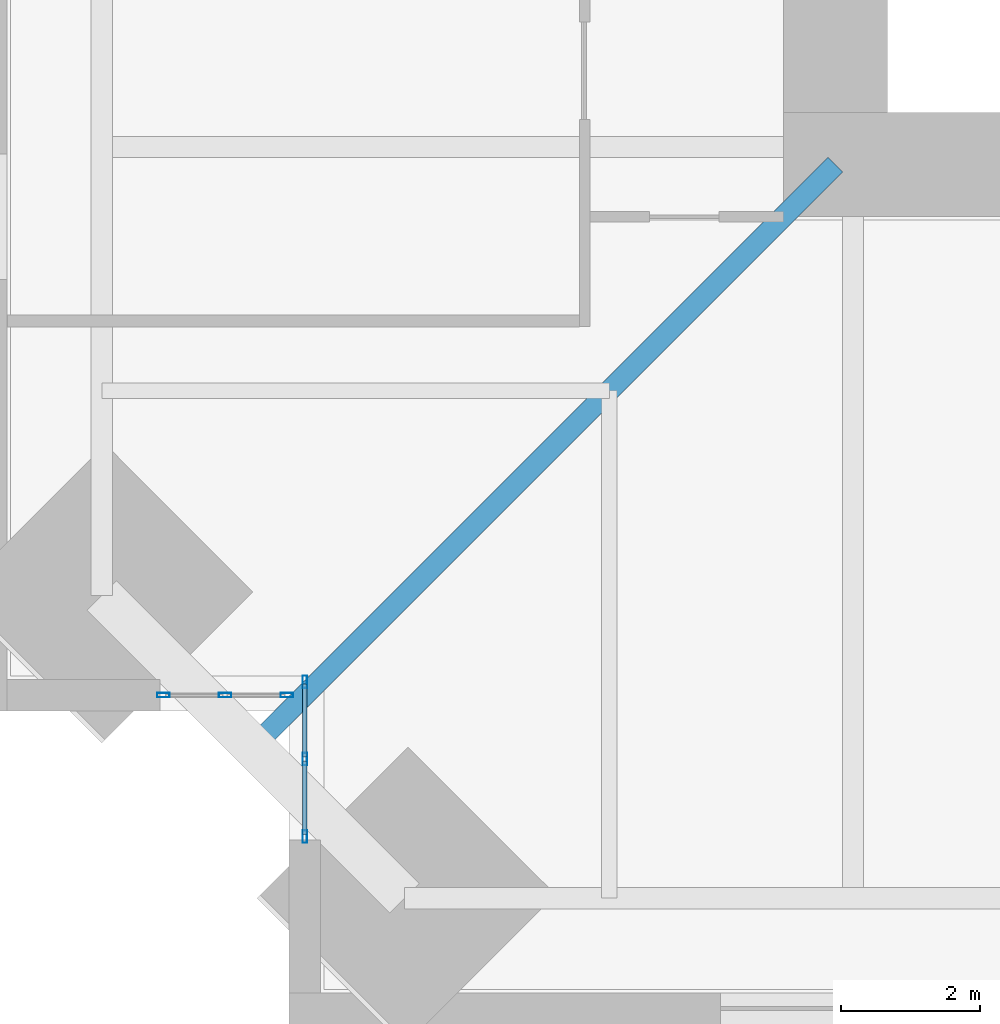
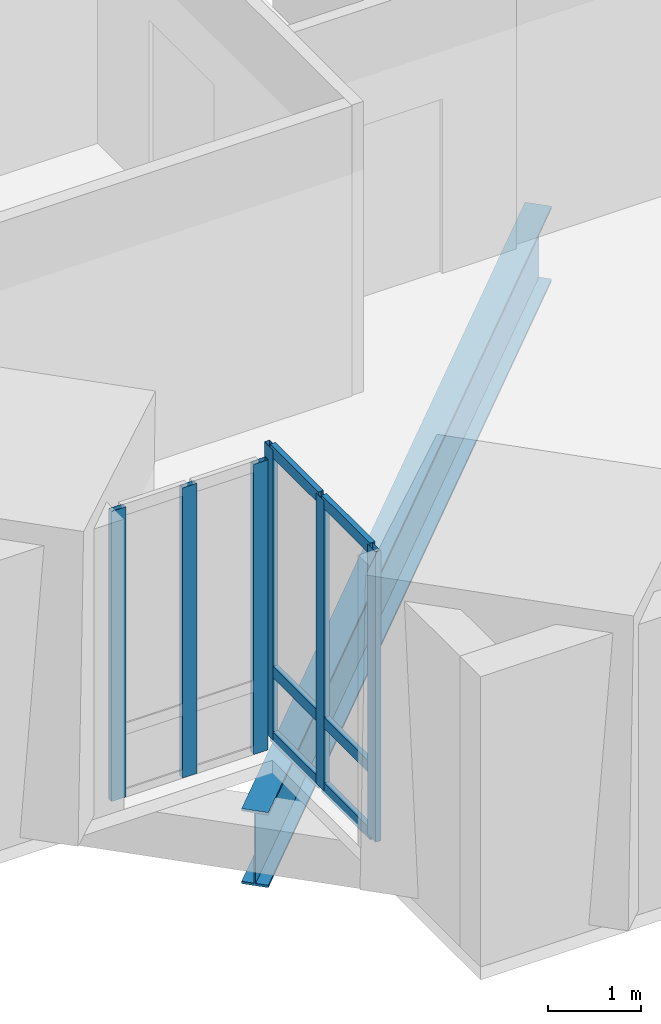
# One storey, part 2 of 15: 12 members, 1 beam, 2 elements without a shape of their own.
"""IFC4 building model written with IfcOpenShell, lengths in metres."""

from ifc_helpers import new_model, si_unit, direction, frame, origin, origin_2d, place, context, subcontext, project, spatial, hollow_rectangle, i_section, extrude, material, material_profile, profile_set, type_object, element, aggregate, save


model = new_model("IFC4")

# Units and contexts
model_context = context("Model", 3, precision=1e-05, world=origin(), true_north=direction((0.0, 1.0)))
body_context = subcontext(model_context, "Body", "Model", "MODEL_VIEW")
ifc_project = project(units=[si_unit("LENGTHUNIT", "METRE"), si_unit("AREAUNIT", "SQUARE_METRE"), si_unit("VOLUMEUNIT", "CUBIC_METRE"), si_unit("PLANEANGLEUNIT", "RADIAN"), si_unit("MASSUNIT", "GRAM", prefix="KILO")], contexts=[model_context])

# Site, building, storey
site_placement = place(None, origin())
site = spatial("IfcSite", under=ifc_project, at=site_placement, CompositionType="ELEMENT")
building_placement = place(site_placement, origin())
building = spatial("IfcBuilding", under=site, at=building_placement, Name="Peilmerk Tower", CompositionType="ELEMENT")
storey_placement = place(building_placement, frame((0.0, 0.0, 225.800048828125)))
storey = spatial("IfcBuildingStorey", under=building, at=storey_placement, Name="L49", CompositionType="ELEMENT", Elevation=225.800048828125)

# Beam
ifc_material_1 = material(Name="Steel S355", Category="steel")
ifc_material_profile_1 = material_profile(ifc_material_1, i_section(OverallWidth=0.300048828125, OverallDepth=0.989990234375, WebThickness=0.0166015625, FlangeThickness=0.031005859375, at=origin_2d()), Name="HEA 1000")
ifc_profile_set_1 = profile_set([ifc_material_profile_1], Name="Steel S355")
beam_type = type_object("IfcBeamType", Name="B14 HEA 1000 floor girder", PredefinedType="BEAM", material=ifc_profile_set_1)
beam_placement = place(storey_placement, frame((-11.25, -11.25, -0.6650390625), z_axis=(-0.707106781187, -0.707106781187, 0.0), x_axis=(0.707106781187, -0.707106781187, 0.0)))
element("IfcBeam", 1, at=beam_placement, inside=storey, type_object=beam_type, Name="Corner girder L49", PredefinedType="BEAM", context=body_context, shape_type="SweptSolid", body=[
    extrude(i_section(OverallWidth=0.300048828125, OverallDepth=0.989990234375, WebThickness=0.0166015625, FlangeThickness=0.031005859375, at=origin_2d()), origin(), (0.0, 0.0, 1.0), 11.832763671875),
])

# Curtain wall, members
ifc_material_2 = material(Name="Aluminium stick curtain wall", Category="aluminium")
curtain_wall_type = type_object("IfcCurtainWallType", Name="CW4 stick curtain wall, 2250 module", PredefinedType="NOTDEFINED", material=ifc_material_2)
curtain_wall_1_placement = place(storey_placement, origin())
curtain_wall_1 = element("IfcCurtainWall", 2, at=curtain_wall_1_placement, inside=storey, type_object=curtain_wall_type, Name="Curtain wall CW4 SWA L49", PredefinedType="NOTDEFINED")
ifc_material_3 = material(Name="Aluminium EN AW-6063 T6", Category="aluminium")
ifc_material_profile_2 = material_profile(ifc_material_3, hollow_rectangle(XDim=0.06494140625, YDim=0.179931640625, WallThickness=0.0029296875, at=origin_2d()), Name="AL 180x65x3")
ifc_profile_set_2 = profile_set([ifc_material_profile_2], Name="Aluminium EN AW-6063 T6")
member_type_1 = type_object("IfcMemberType", Name="CW4-M AL 180x65x3 mullion", PredefinedType="MULLION", material=ifc_profile_set_2)
member_1_placement = place(storey_placement, frame((-18.875, -18.6826171875, 0.0), z_axis=(0.0, 0.0, 1.0), x_axis=(1.0, 0.0, 0.0)))
member_1 = element("IfcMember", 3, at=member_1_placement, type_object=member_type_1, Name="CW4 mullion 1", PredefinedType="MULLION", context=body_context, shape_type="SweptSolid", body=[
    extrude(hollow_rectangle(XDim=0.06494140625, YDim=0.179931640625, WallThickness=0.0029296875, at=origin_2d()), origin(), (0.0, 0.0, 1.0), 3.829833984375),
])
member_2_placement = place(storey_placement, frame((-18.875, -19.79443359375, 0.0), z_axis=(0.0, 0.0, 1.0), x_axis=(1.0, 0.0, 0.0)))
member_2 = element("IfcMember", 4, at=member_2_placement, type_object=member_type_1, Name="CW4 mullion 2", PredefinedType="MULLION", context=body_context, shape_type="SweptSolid", body=[
    extrude(hollow_rectangle(XDim=0.06494140625, YDim=0.179931640625, WallThickness=0.0029296875, at=origin_2d()), origin(), (0.0, 0.0, 1.0), 3.829833984375),
])
member_3_placement = place(storey_placement, frame((-18.875, -20.90625, 0.0), z_axis=(0.0, 0.0, 1.0), x_axis=(1.0, 0.0, 0.0)))
member_3 = element("IfcMember", 5, at=member_3_placement, type_object=member_type_1, Name="CW4 mullion 3", PredefinedType="MULLION", context=body_context, shape_type="SweptSolid", body=[
    extrude(hollow_rectangle(XDim=0.06494140625, YDim=0.179931640625, WallThickness=0.0029296875, at=origin_2d()), origin(), (0.0, 0.0, 1.0), 3.829833984375),
])

curtain_wall_2_placement = place(storey_placement, origin())
curtain_wall_2 = element("IfcCurtainWall", 6, at=curtain_wall_2_placement, inside=storey, type_object=curtain_wall_type, Name="Curtain wall CW4 SWB L49", PredefinedType="NOTDEFINED")
member_4_placement = place(storey_placement, frame((-19.132568359375, -18.875, 0.0), z_axis=(0.0, 0.0, 1.0), x_axis=(0.0, -1.0, 0.0)))
member_4 = element("IfcMember", 7, at=member_4_placement, type_object=member_type_1, Name="CW4 mullion 1", PredefinedType="MULLION", context=body_context, shape_type="SweptSolid", body=[
    extrude(hollow_rectangle(XDim=0.06494140625, YDim=0.179931640625, WallThickness=0.0029296875, at=origin_2d()), origin(), (0.0, 0.0, 1.0), 3.829833984375),
])
member_5_placement = place(storey_placement, frame((-20.019287109375, -18.875, 0.0), z_axis=(0.0, 0.0, 1.0), x_axis=(0.0, -1.0, 0.0)))
member_5 = element("IfcMember", 8, at=member_5_placement, type_object=member_type_1, Name="CW4 mullion 2", PredefinedType="MULLION", context=body_context, shape_type="SweptSolid", body=[
    extrude(hollow_rectangle(XDim=0.06494140625, YDim=0.179931640625, WallThickness=0.0029296875, at=origin_2d()), origin(), (0.0, 0.0, 1.0), 3.829833984375),
])
member_6_placement = place(storey_placement, frame((-20.90625, -18.875, 0.0), z_axis=(0.0, 0.0, 1.0), x_axis=(0.0, -1.0, 0.0)))
member_6 = element("IfcMember", 9, at=member_6_placement, type_object=member_type_1, Name="CW4 mullion 3", PredefinedType="MULLION", context=body_context, shape_type="SweptSolid", body=[
    extrude(hollow_rectangle(XDim=0.06494140625, YDim=0.179931640625, WallThickness=0.0029296875, at=origin_2d()), origin(), (0.0, 0.0, 1.0), 3.829833984375),
])
aggregate(curtain_wall_2, [member_4, member_5, member_6])

# Member
ifc_material_profile_3 = material_profile(ifc_material_3, hollow_rectangle(XDim=0.06494140625, YDim=0.14990234375, WallThickness=0.0029296875, at=origin_2d()), Name="AL 150x65x3")
ifc_profile_set_3 = profile_set([ifc_material_profile_3], Name="Aluminium EN AW-6063 T6")
member_type_2 = type_object("IfcMemberType", Name="CW4-T AL 150x65x3 transom", PredefinedType="USERDEFINED", material=ifc_profile_set_3)
member_7_placement = place(storey_placement, frame((-18.875, -18.715087890625, 0.032470703125), z_axis=(0.0, -1.0, 0.0), x_axis=(1.0, 0.0, 0.0)))
member_7 = element("IfcMember", 10, at=member_7_placement, type_object=member_type_2, Name="CW4 transom 1.1", ObjectType="TRANSOM", PredefinedType="USERDEFINED", context=body_context, shape_type="SweptSolid", body=[
    extrude(hollow_rectangle(XDim=0.06494140625, YDim=0.14990234375, WallThickness=0.0029296875, at=origin_2d()), origin(), (0.0, 0.0, 1.0), 1.046630859375),
])

member_8_placement = place(storey_placement, frame((-18.875, -18.715087890625, 0.89990234375), z_axis=(0.0, -1.0, 0.0), x_axis=(1.0, 0.0, 0.0)))
member_8 = element("IfcMember", 11, at=member_8_placement, type_object=member_type_2, Name="CW4 transom 1.2", ObjectType="TRANSOM", PredefinedType="USERDEFINED", context=body_context, shape_type="SweptSolid", body=[
    extrude(hollow_rectangle(XDim=0.06494140625, YDim=0.14990234375, WallThickness=0.0029296875, at=origin_2d()), origin(), (0.0, 0.0, 1.0), 1.046630859375),
])

member_9_placement = place(storey_placement, frame((-18.875, -18.715087890625, 3.79736328125), z_axis=(0.0, -1.0, 0.0), x_axis=(1.0, 0.0, 0.0)))
member_9 = element("IfcMember", 12, at=member_9_placement, type_object=member_type_2, Name="CW4 transom 1.3", ObjectType="TRANSOM", PredefinedType="USERDEFINED", context=body_context, shape_type="SweptSolid", body=[
    extrude(hollow_rectangle(XDim=0.06494140625, YDim=0.14990234375, WallThickness=0.0029296875, at=origin_2d()), origin(), (0.0, 0.0, 1.0), 1.046630859375),
])

member_10_placement = place(storey_placement, frame((-18.875, -19.826904296875, 0.032470703125), z_axis=(0.0, -1.0, 0.0), x_axis=(1.0, 0.0, 0.0)))
member_10 = element("IfcMember", 13, at=member_10_placement, type_object=member_type_2, Name="CW4 transom 2.1", ObjectType="TRANSOM", PredefinedType="USERDEFINED", context=body_context, shape_type="SweptSolid", body=[
    extrude(hollow_rectangle(XDim=0.06494140625, YDim=0.14990234375, WallThickness=0.0029296875, at=origin_2d()), origin(), (0.0, 0.0, 1.0), 1.046875),
])

member_11_placement = place(storey_placement, frame((-18.875, -19.826904296875, 0.89990234375), z_axis=(0.0, -1.0, 0.0), x_axis=(1.0, 0.0, 0.0)))
member_11 = element("IfcMember", 14, at=member_11_placement, type_object=member_type_2, Name="CW4 transom 2.2", ObjectType="TRANSOM", PredefinedType="USERDEFINED", context=body_context, shape_type="SweptSolid", body=[
    extrude(hollow_rectangle(XDim=0.06494140625, YDim=0.14990234375, WallThickness=0.0029296875, at=origin_2d()), origin(), (0.0, 0.0, 1.0), 1.046875),
])

member_12_placement = place(storey_placement, frame((-18.875, -19.826904296875, 3.79736328125), z_axis=(0.0, -1.0, 0.0), x_axis=(1.0, 0.0, 0.0)))
member_12 = element("IfcMember", 15, at=member_12_placement, type_object=member_type_2, Name="CW4 transom 2.3", ObjectType="TRANSOM", PredefinedType="USERDEFINED", context=body_context, shape_type="SweptSolid", body=[
    extrude(hollow_rectangle(XDim=0.06494140625, YDim=0.14990234375, WallThickness=0.0029296875, at=origin_2d()), origin(), (0.0, 0.0, 1.0), 1.046875),
])

aggregate(curtain_wall_1, [member_1, member_2, member_3, member_7, member_8, member_9, member_10, member_11, member_12])

save(model, "model.ifc")
